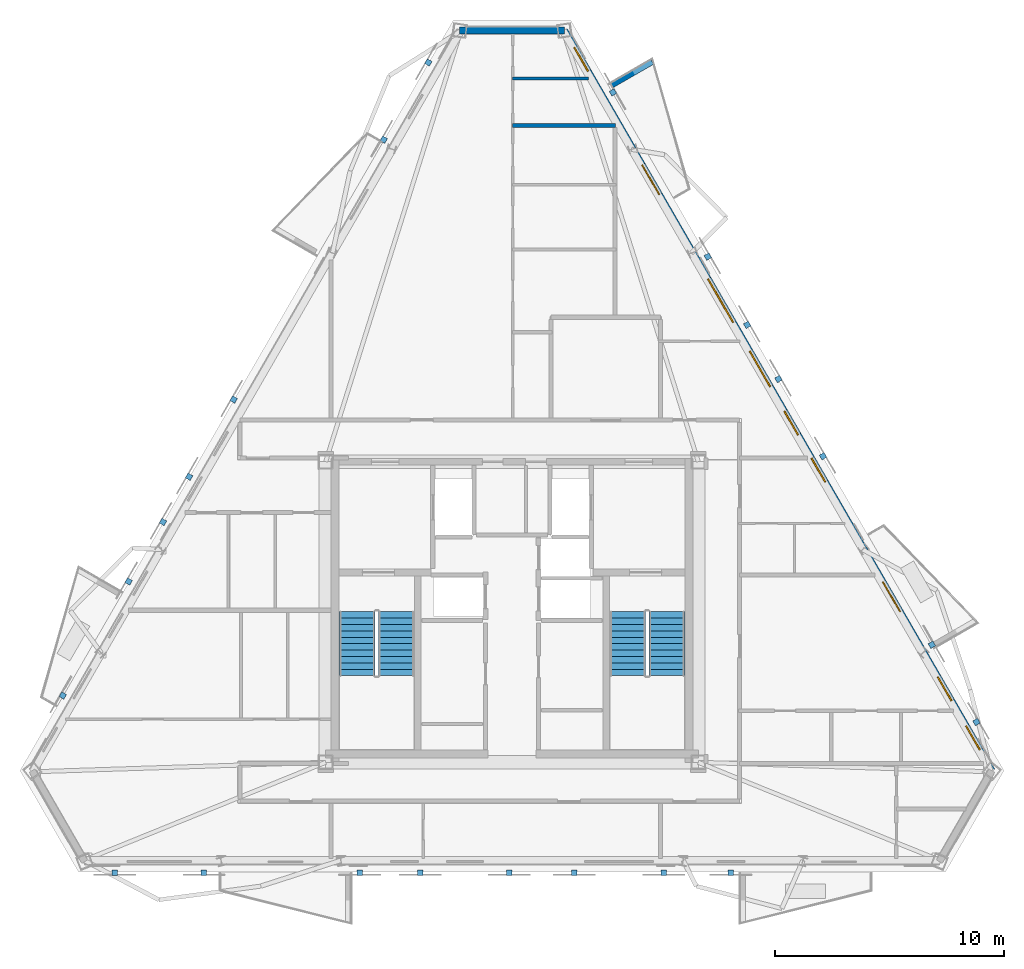
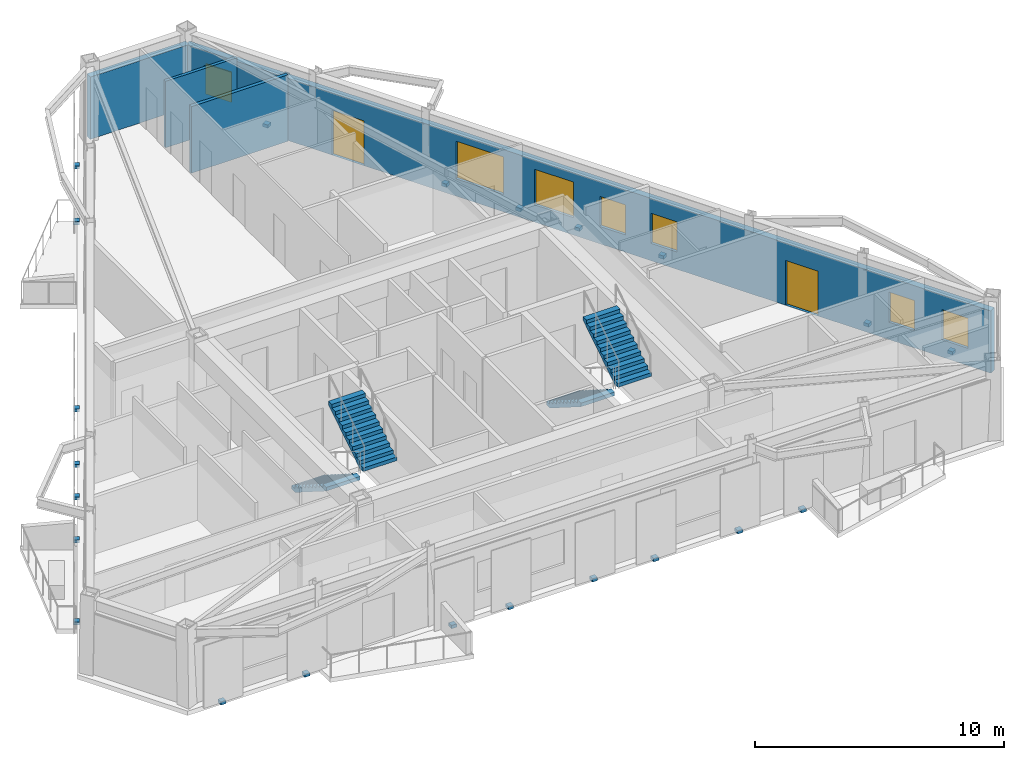
# One storey, part 6 of 9: 22 discrete accessories, 7 windows, 5 walls, 4 stair flights, 2 doors, 9 openings, 2 elements without a shape of their own.
"""IFC4 building model written with IfcOpenShell, lengths in metres."""

from ifc_helpers import new_model, si_unit, direction, frame, frame_2d, origin, origin_2d, place, context, subcontext, project, spatial, polyline, rectangle, outline, extrude, material, layer, layer_set, type_object, element, fill, aggregate, save


model = new_model("IFC4")

# Units and contexts
model_context = context("Model", 3, precision=1e-05, world=origin(), true_north=direction((0.0, 1.0)))
body_context = subcontext(model_context, "Body", "Model", "MODEL_VIEW")
ifc_project = project(units=[si_unit("LENGTHUNIT", "METRE"), si_unit("AREAUNIT", "SQUARE_METRE"), si_unit("VOLUMEUNIT", "CUBIC_METRE"), si_unit("PLANEANGLEUNIT", "RADIAN"), si_unit("MASSUNIT", "GRAM", prefix="KILO")], contexts=[model_context])

# Site, building, storey
site_placement = place(None, origin())
site = spatial("IfcSite", under=ifc_project, at=site_placement, CompositionType="ELEMENT")
building_placement = place(site_placement, origin())
building = spatial("IfcBuilding", under=site, at=building_placement, Name="Oramaril Tower", CompositionType="ELEMENT")
storey_placement = place(building_placement, frame((0.0, 0.0, 277.199951171875)))
storey = spatial("IfcBuildingStorey", under=building, at=storey_placement, Name="L73", CompositionType="ELEMENT", Elevation=277.199951171875)

# Wall, openings, doors, windows
ifc_material_1 = material(Name="Warm Cream Limestone", Category="masonry")
ifc_layer_1 = layer(ifc_material_1, 0.2900390625)
ifc_layer_set_1 = layer_set([ifc_layer_1], Name="WT-EXT29")
wall_type_1 = type_object("IfcWallType", Name="WT-EXT29", PredefinedType="SOLIDWALL", material=ifc_layer_set_1)
wall_1_placement = place(storey_placement, frame((58.49267578125, 10.63330078125, 0.0), z_axis=(0.0, 0.0, 1.0), x_axis=(-0.499998095684, 0.866026503239, 0.0)))
wall_1 = element("IfcWall", 1, at=wall_1_placement, inside=storey, type_object=wall_type_1, Name="L73 Tower Limestone Facade Wall 4M", PredefinedType="SOLIDWALL", context=body_context, shape_type="SweptSolid", body=[
    extrude(rectangle(XDim=37.389404296875, YDim=0.2900390625, at=frame_2d((18.69482421875, 0.0))), origin(), (0.0, 0.0, 1.0), 3.05810546875),
])
opening_1_placement = place(wall_1_placement, frame((8.034423828125, 0.0, 0.0)))
opening_1 = element("IfcOpeningElement", 2, at=opening_1_placement, cuts=wall_1, Name="Opening D-L73-BAL-NE1", PredefinedType="OPENING", context=body_context, shape_type="SweptSolid", body=[
    extrude(rectangle(XDim=1.5, YDim=2.199951171875, at=frame_2d((0.75, 1.10009765625))), frame((0.0, 0.14501953125, 0.0), z_axis=(0.0, -1.0, 0.0), x_axis=(1.0, 0.0, 0.0)), (0.0, 0.0, 1.0), 0.2900390625),
])
opening_2_placement = place(wall_1_placement, frame((29.099853515625, 0.0, 0.0)))
opening_2 = element("IfcOpeningElement", 3, at=opening_2_placement, cuts=wall_1, Name="Opening D-L73-BAL-NE2", PredefinedType="OPENING", context=body_context, shape_type="SweptSolid", body=[
    extrude(rectangle(XDim=1.5, YDim=2.199951171875, at=frame_2d((0.75, 1.10009765625))), frame((0.0, 0.14501953125, 0.0), z_axis=(0.0, -1.0, 0.0), x_axis=(1.0, 0.0, 0.0)), (0.0, 0.0, 1.0), 0.2900390625),
])
opening_3_placement = place(wall_1_placement, frame((3.531005859375, 0.0, 0.85009765625)))
opening_3 = element("IfcOpeningElement", 4, at=opening_3_placement, cuts=wall_1, Name="Opening WN-09", PredefinedType="OPENING", context=body_context, shape_type="SweptSolid", body=[
    extrude(rectangle(XDim=1.199951171875, YDim=1.47998046875, at=frame_2d((0.60009765625, 0.739990234375))), frame((0.0, 0.14501953125, 0.0), z_axis=(0.0, -1.0, 0.0), x_axis=(1.0, 0.0, 0.0)), (0.0, 0.0, 1.0), 0.2900390625),
])
opening_4_placement = place(wall_1_placement, frame((1.054931640625, 0.0, 0.85009765625)))
opening_4 = element("IfcOpeningElement", 5, at=opening_4_placement, cuts=wall_1, Name="Opening WN-09", PredefinedType="OPENING", context=body_context, shape_type="SweptSolid", body=[
    extrude(rectangle(XDim=1.199951171875, YDim=1.47998046875, at=frame_2d((0.60009765625, 0.739990234375))), frame((0.0, 0.14501953125, 0.0), z_axis=(0.0, -1.0, 0.0), x_axis=(1.0, 0.0, 0.0)), (0.0, 0.0, 1.0), 0.2900390625),
])
opening_5_placement = place(wall_1_placement, frame((35.335693359375, 0.0, 0.85009765625)))
opening_5 = element("IfcOpeningElement", 6, at=opening_5_placement, cuts=wall_1, Name="Opening WN-09", PredefinedType="OPENING", context=body_context, shape_type="SweptSolid", body=[
    extrude(rectangle(XDim=1.199951171875, YDim=1.47998046875, at=frame_2d((0.60009765625, 0.739990234375))), frame((0.0, 0.14501953125, 0.0), z_axis=(0.0, -1.0, 0.0), x_axis=(1.0, 0.0, 0.0)), (0.0, 0.0, 1.0), 0.2900390625),
])
opening_6_placement = place(wall_1_placement, frame((16.9560546875, 0.0, 0.85009765625)))
opening_6 = element("IfcOpeningElement", 7, at=opening_6_placement, cuts=wall_1, Name="Opening WN-09", PredefinedType="OPENING", context=body_context, shape_type="SweptSolid", body=[
    extrude(rectangle(XDim=1.199951171875, YDim=1.47998046875, at=frame_2d((0.60009765625, 0.739990234375))), frame((0.0, 0.14501953125, 0.0), z_axis=(0.0, -1.0, 0.0), x_axis=(1.0, 0.0, 0.0)), (0.0, 0.0, 1.0), 0.2900390625),
])
opening_7_placement = place(wall_1_placement, frame((19.3916015625, 0.0, 0.85009765625)))
opening_7 = element("IfcOpeningElement", 8, at=opening_7_placement, cuts=wall_1, Name="Opening WN-06", PredefinedType="OPENING", context=body_context, shape_type="SweptSolid", body=[
    extrude(rectangle(XDim=1.800048828125, YDim=1.75, at=frame_2d((0.89990234375, 0.875))), frame((0.0, 0.14501953125, 0.0), z_axis=(0.0, -1.0, 0.0), x_axis=(1.0, 0.0, 0.0)), (0.0, 0.0, 1.0), 0.2900390625),
])
opening_8_placement = place(wall_1_placement, frame((22.63818359375, 0.0, 0.85009765625)))
opening_8 = element("IfcOpeningElement", 9, at=opening_8_placement, cuts=wall_1, Name="Opening WN-04", PredefinedType="OPENING", context=body_context, shape_type="SweptSolid", body=[
    extrude(rectangle(XDim=2.199951171875, YDim=1.85009765625, at=frame_2d((1.10009765625, 0.925048828125))), frame((0.0, 0.14501953125, 0.0), z_axis=(0.0, -1.0, 0.0), x_axis=(1.0, 0.0, 0.0)), (0.0, 0.0, 1.0), 0.2900390625),
])
opening_9_placement = place(wall_1_placement, frame((14.580078125, 0.0, 0.85009765625)))
opening_9 = element("IfcOpeningElement", 10, at=opening_9_placement, cuts=wall_1, Name="Opening WN-09", PredefinedType="OPENING", context=body_context, shape_type="SweptSolid", body=[
    extrude(rectangle(XDim=1.199951171875, YDim=1.47998046875, at=frame_2d((0.60009765625, 0.739990234375))), frame((0.0, 0.14501953125, 0.0), z_axis=(0.0, -1.0, 0.0), x_axis=(1.0, 0.0, 0.0)), (0.0, 0.0, 1.0), 0.2900390625),
])
ifc_material_2 = material(Name="Anodised Aluminium 6063-T6", Category="aluminium")
door_type = type_object("IfcDoorType", Name="DT-BAL", OperationType="NOTDEFINED", PredefinedType="DOOR", material=ifc_material_2)
door_1_placement = place(opening_1_placement, origin())
door_1 = element("IfcDoor", 11, at=door_1_placement, inside=storey, type_object=door_type, Name="L73 Balcony Glazed Door L73-BAL-NE1", OperationType="SINGLE_SWING_RIGHT", OverallHeight=2.199951171875, OverallWidth=1.5, PredefinedType="DOOR", context=body_context, shape_type="SweptSolid", body=[
    extrude(rectangle(XDim=1.5, YDim=2.199951171875, at=frame_2d((0.75, 1.10009765625))), frame((0.0, 0.02490234375, 0.0), z_axis=(0.0, -1.0, 0.0), x_axis=(1.0, 0.0, 0.0)), (0.0, 0.0, 1.0), 0.050048828125),
])
fill(opening_1, door_1)
door_2_placement = place(opening_2_placement, origin())
door_2 = element("IfcDoor", 12, at=door_2_placement, inside=storey, type_object=door_type, Name="L73 Balcony Glazed Door L73-BAL-NE2", OperationType="SINGLE_SWING_LEFT", OverallHeight=2.199951171875, OverallWidth=1.5, PredefinedType="DOOR", context=body_context, shape_type="SweptSolid", body=[
    extrude(rectangle(XDim=1.5, YDim=2.199951171875, at=frame_2d((0.75, 1.10009765625))), frame((0.0, 0.02490234375, 0.0), z_axis=(0.0, -1.0, 0.0), x_axis=(1.0, 0.0, 0.0)), (0.0, 0.0, 1.0), 0.050048828125),
])
fill(opening_2, door_2)
ifc_material_3 = material(Name="Coastal Low-E Insulated Glass", Category="glass")
window_type_1 = type_object("IfcWindowType", Name="WNT-04", PartitioningType="SINGLE_PANEL", PredefinedType="WINDOW", material=ifc_material_3)
window_1_placement = place(opening_8_placement, origin())
window_1 = element("IfcWindow", 13, at=window_1_placement, inside=storey, type_object=window_type_1, Name="L73 Chicago Bay Window WN-04", OverallHeight=1.85009765625, OverallWidth=2.199951171875, PartitioningType="SINGLE_PANEL", PredefinedType="WINDOW", context=body_context, shape_type="SweptSolid", body=[
    extrude(rectangle(XDim=2.199951171875, YDim=1.85009765625, at=frame_2d((1.10009765625, 0.925048828125))), frame((0.0, 0.030029296875, 0.0), z_axis=(0.0, -1.0, 0.0), x_axis=(1.0, 0.0, 0.0)), (0.0, 0.0, 1.0), 0.06005859375),
])
fill(opening_8, window_1)
ifc_material_4 = material(Name="Coastal Low-E Insulated Glass", Category="glass")
window_type_2 = type_object("IfcWindowType", Name="WNT-06", PartitioningType="SINGLE_PANEL", PredefinedType="WINDOW", material=ifc_material_4)
window_2_placement = place(opening_7_placement, origin())
window_2 = element("IfcWindow", 14, at=window_2_placement, inside=storey, type_object=window_type_2, Name="L73 Chicago Bay Window WN-06", OverallHeight=1.75, OverallWidth=1.800048828125, PartitioningType="SINGLE_PANEL", PredefinedType="WINDOW", context=body_context, shape_type="SweptSolid", body=[
    extrude(rectangle(XDim=1.800048828125, YDim=1.75, at=frame_2d((0.89990234375, 0.875))), frame((0.0, 0.030029296875, 0.0), z_axis=(0.0, -1.0, 0.0), x_axis=(1.0, 0.0, 0.0)), (0.0, 0.0, 1.0), 0.06005859375),
])
fill(opening_7, window_2)
ifc_material_5 = material(Name="Coastal Low-E Insulated Glass", Category="glass")
window_type_3 = type_object("IfcWindowType", Name="WNT-09", PartitioningType="SINGLE_PANEL", PredefinedType="WINDOW", material=ifc_material_5)
window_3_placement = place(opening_3_placement, origin())
window_3 = element("IfcWindow", 15, at=window_3_placement, inside=storey, type_object=window_type_3, Name="L73 Chicago Bay Window WN-09", OverallHeight=1.47998046875, OverallWidth=1.199951171875, PartitioningType="SINGLE_PANEL", PredefinedType="WINDOW", context=body_context, shape_type="SweptSolid", body=[
    extrude(rectangle(XDim=1.199951171875, YDim=1.47998046875, at=frame_2d((0.60009765625, 0.739990234375))), frame((0.0, 0.030029296875, 0.0), z_axis=(0.0, -1.0, 0.0), x_axis=(1.0, 0.0, 0.0)), (0.0, 0.0, 1.0), 0.06005859375),
])
fill(opening_3, window_3)
window_4_placement = place(opening_4_placement, origin())
window_4 = element("IfcWindow", 16, at=window_4_placement, inside=storey, type_object=window_type_3, Name="L73 Chicago Bay Window WN-09", OverallHeight=1.47998046875, OverallWidth=1.199951171875, PartitioningType="SINGLE_PANEL", PredefinedType="WINDOW", context=body_context, shape_type="SweptSolid", body=[
    extrude(rectangle(XDim=1.199951171875, YDim=1.47998046875, at=frame_2d((0.60009765625, 0.739990234375))), frame((0.0, 0.030029296875, 0.0), z_axis=(0.0, -1.0, 0.0), x_axis=(1.0, 0.0, 0.0)), (0.0, 0.0, 1.0), 0.06005859375),
])
fill(opening_4, window_4)
window_5_placement = place(opening_5_placement, origin())
window_5 = element("IfcWindow", 17, at=window_5_placement, inside=storey, type_object=window_type_3, Name="L73 Chicago Bay Window WN-09", OverallHeight=1.47998046875, OverallWidth=1.199951171875, PartitioningType="SINGLE_PANEL", PredefinedType="WINDOW", context=body_context, shape_type="SweptSolid", body=[
    extrude(rectangle(XDim=1.199951171875, YDim=1.47998046875, at=frame_2d((0.60009765625, 0.739990234375))), frame((0.0, 0.030029296875, 0.0), z_axis=(0.0, -1.0, 0.0), x_axis=(1.0, 0.0, 0.0)), (0.0, 0.0, 1.0), 0.06005859375),
])
fill(opening_5, window_5)
window_6_placement = place(opening_6_placement, origin())
window_6 = element("IfcWindow", 18, at=window_6_placement, inside=storey, type_object=window_type_3, Name="L73 Chicago Bay Window WN-09", OverallHeight=1.47998046875, OverallWidth=1.199951171875, PartitioningType="SINGLE_PANEL", PredefinedType="WINDOW", context=body_context, shape_type="SweptSolid", body=[
    extrude(rectangle(XDim=1.199951171875, YDim=1.47998046875, at=frame_2d((0.60009765625, 0.739990234375))), frame((0.0, 0.030029296875, 0.0), z_axis=(0.0, -1.0, 0.0), x_axis=(1.0, 0.0, 0.0)), (0.0, 0.0, 1.0), 0.06005859375),
])
fill(opening_6, window_6)
window_7_placement = place(opening_9_placement, origin())
window_7 = element("IfcWindow", 19, at=window_7_placement, inside=storey, type_object=window_type_3, Name="L73 Apartment Bedroom Window WN-09", OverallHeight=1.47998046875, OverallWidth=1.199951171875, PartitioningType="SINGLE_PANEL", PredefinedType="WINDOW", context=body_context, shape_type="SweptSolid", body=[
    extrude(rectangle(XDim=1.199951171875, YDim=1.47998046875, at=frame_2d((0.60009765625, 0.739990234375))), frame((0.0, 0.030029296875, 0.0), z_axis=(0.0, -1.0, 0.0), x_axis=(1.0, 0.0, 0.0)), (0.0, 0.0, 1.0), 0.06005859375),
])
fill(opening_9, window_7)

# Walls
wall_2_placement = place(storey_placement, frame((39.798095703125, 43.013427734375, 0.0), z_axis=(0.0, 0.0, 1.0), x_axis=(-1.0, 0.0, 0.0)))
element("IfcWall", 20, at=wall_2_placement, inside=storey, type_object=wall_type_1, Name="L73 Tower Limestone Facade Wall 5M", PredefinedType="SOLIDWALL", context=body_context, shape_type="SweptSolid", body=[
    extrude(rectangle(XDim=4.59619140625, YDim=0.2900390625, at=frame_2d((2.298095703125, 0.0))), origin(), (0.0, 0.0, 1.0), 3.05810546875),
])
ifc_material_6 = material(Name="Concrete C40/50", Category="concrete")
ifc_layer_2 = layer(ifc_material_6, 0.22998046875)
ifc_layer_set_2 = layer_set([ifc_layer_2], Name="WT-PRP23")
wall_type_2 = type_object("IfcWallType", Name="WT-PRP23", PredefinedType="PARAPET", material=ifc_layer_set_2)
wall_3_placement = place(storey_placement, frame((41.873046875, 40.615234375, 0.0), z_axis=(0.0, 0.0, 1.0), x_axis=(0.866042246008, 0.499970827278, 0.0)))
element("IfcWall", 21, at=wall_3_placement, inside=storey, type_object=wall_type_2, Name="L73 Trapezoidal Balcony Frame Cheek L73-BAL-NE2-R", PredefinedType="PARAPET", context=body_context, shape_type="SweptSolid", body=[
    extrude(outline(polyline([(0.0, 0.0), (2.0419921875, 0.0), (2.0419921875, 1.10009765625), (0.0, 1.320068359375), (0.0, 0.0)])), frame((0.0, 0.114990234375, 0.0), z_axis=(0.0, -1.0, 0.0), x_axis=(1.0, 0.0, 0.0)), (0.0, 0.0, 1.0), 0.22998046875),
])
ifc_material_7 = material(Name="Acoustic Gypsum Board Partition")
ifc_layer_3 = layer(ifc_material_7, 0.139892578125)
ifc_layer_set_3 = layer_set([ifc_layer_3], Name="WT-PT14")
wall_type_3 = type_object("IfcWallType", Name="WT-PT14", PredefinedType="PARTITIONING", material=ifc_layer_set_3)
wall_4_placement = place(storey_placement, frame((37.52880859375, 40.909912109375, 0.0), z_axis=(0.0, 0.0, 1.0), x_axis=(1.0, 0.0, 0.0)))
element("IfcWall", 22, at=wall_4_placement, inside=storey, type_object=wall_type_3, Name="L73 Interior Partition PT-14", PredefinedType="PARTITIONING", context=body_context, shape_type="SweptSolid", body=[
    extrude(rectangle(XDim=3.3115234375, YDim=0.139892578125, at=frame_2d((1.65576171875, 0.0))), origin(), (0.0, 0.0, 1.0), 3.26611328125),
])
ifc_material_8 = material(Name="Acoustic Gypsum Board Partition")
ifc_layer_4 = layer(ifc_material_8, 0.159912109375)
ifc_layer_set_4 = layer_set([ifc_layer_4], Name="WT-PT16")
wall_type_4 = type_object("IfcWallType", Name="WT-PT16", PredefinedType="PARTITIONING", material=ifc_layer_set_4)
wall_5_placement = place(storey_placement, frame((37.52880859375, 38.860107421875, 0.0), z_axis=(0.0, 0.0, 1.0), x_axis=(1.0, 0.0, 0.0)))
element("IfcWall", 23, at=wall_5_placement, inside=storey, type_object=wall_type_4, Name="L73 Interior Partition PT-16", PredefinedType="PARTITIONING", context=body_context, shape_type="SweptSolid", body=[
    extrude(rectangle(XDim=4.4951171875, YDim=0.159912109375, at=frame_2d((2.24755859375, 0.0))), origin(), (0.0, 0.0, 1.0), 3.26611328125),
])

# Stair, stair flights
ifc_material_9 = material(Name="Concrete C50/60", Category="concrete")
stair_type = type_object("IfcStairType", Name="STT-DG-3900", PredefinedType="HALF_TURN_STAIR", material=ifc_material_9)
stair_1_placement = place(storey_placement, origin())
stair_1 = element("IfcStair", 24, at=stair_1_placement, inside=storey, type_object=stair_type, Name="L73 Protected PFP Exit Stair ST-1", PredefinedType="HALF_TURN_STAIR")
ifc_material_10 = material(Name="Concrete C50/60", Category="concrete")
stair_flight_type = type_object("IfcStairFlightType", Name="SFT-DG-3900", PredefinedType="STRAIGHT", material=ifc_material_10)
stair_flight_1_placement = place(storey_placement, frame((30.72998046875, 17.590087890625, 0.0), z_axis=(0.0, 0.0, 1.0), x_axis=(0.0, -1.0, 0.0)))
stair_flight_1 = element("IfcStairFlight", 25, at=stair_flight_1_placement, type_object=stair_flight_type, Name="ST-1 flight 1", NumberOfRisers=11, NumberOfTreads=10, PredefinedType="STRAIGHT", RiserHeight=0.177272727, TreadLength=0.28, context=body_context, shape_type="SweptSolid", body=[
    extrude(outline(polyline([(0.0, 0.0), (0.0, 0.17724609375), (0.280029296875, 0.17724609375), (0.280029296875, 0.3544921875), (0.56005859375, 0.3544921875), (0.56005859375, 0.53173828125), (0.840087890625, 0.53173828125), (0.840087890625, 0.708984375), (1.1201171875, 0.708984375), (1.1201171875, 0.886474609375), (1.39990234375, 0.886474609375), (1.39990234375, 1.063720703125), (1.679931640625, 1.063720703125), (1.679931640625, 1.240966796875), (1.9599609375, 1.240966796875), (1.9599609375, 1.418212890625), (2.239990234375, 1.418212890625), (2.239990234375, 1.595458984375), (2.52001953125, 1.595458984375), (2.52001953125, 1.772705078125), (2.800048828125, 1.772705078125), (2.800048828125, 1.949951171875), (2.800048828125, 1.59521484375), (0.2802734375, 0.0), (0.0, 0.0)])), frame((0.0, 0.780029296875, 0.0), z_axis=(0.0, -1.0, 0.0), x_axis=(1.0, 0.0, 0.0)), (0.0, 0.0, 1.0), 1.56005859375),
])
stair_flight_2_placement = place(storey_placement, frame((32.43994140625, 14.7900390625, 1.949951171875), z_axis=(0.0, 0.0, 1.0), x_axis=(0.0, 1.0, 0.0)))
stair_flight_2 = element("IfcStairFlight", 26, at=stair_flight_2_placement, type_object=stair_flight_type, Name="ST-1 flight 2", NumberOfRisers=11, NumberOfTreads=10, PredefinedType="STRAIGHT", RiserHeight=0.177272727, TreadLength=0.28, context=body_context, shape_type="SweptSolid", body=[
    extrude(outline(polyline([(0.0, 0.0), (0.0, 0.17724609375), (0.280029296875, 0.17724609375), (0.280029296875, 0.3544921875), (0.56005859375, 0.3544921875), (0.56005859375, 0.53173828125), (0.840087890625, 0.53173828125), (0.840087890625, 0.708984375), (1.1201171875, 0.708984375), (1.1201171875, 0.886474609375), (1.39990234375, 0.886474609375), (1.39990234375, 1.063720703125), (1.679931640625, 1.063720703125), (1.679931640625, 1.240966796875), (1.9599609375, 1.240966796875), (1.9599609375, 1.418212890625), (2.239990234375, 1.418212890625), (2.239990234375, 1.595458984375), (2.52001953125, 1.595458984375), (2.52001953125, 1.772705078125), (2.800048828125, 1.772705078125), (2.800048828125, 1.949951171875), (2.800048828125, 1.59521484375), (0.2802734375, 0.0), (0.0, 0.0)])), frame((0.0, 0.780029296875, 0.0), z_axis=(0.0, -1.0, 0.0), x_axis=(1.0, 0.0, 0.0)), (0.0, 0.0, 1.0), 1.56005859375),
])
aggregate(stair_1, [stair_flight_1, stair_flight_2])

stair_2_placement = place(storey_placement, origin())
stair_2 = element("IfcStair", 27, at=stair_2_placement, inside=storey, type_object=stair_type, Name="L73 Protected PFP Exit Stair ST-2", PredefinedType="HALF_TURN_STAIR")
stair_flight_3_placement = place(storey_placement, frame((42.56005859375, 17.590087890625, 0.0), z_axis=(0.0, 0.0, 1.0), x_axis=(0.0, -1.0, 0.0)))
stair_flight_3 = element("IfcStairFlight", 28, at=stair_flight_3_placement, type_object=stair_flight_type, Name="ST-2 flight 1", NumberOfRisers=11, NumberOfTreads=10, PredefinedType="STRAIGHT", RiserHeight=0.177272727, TreadLength=0.28, context=body_context, shape_type="SweptSolid", body=[
    extrude(outline(polyline([(0.0, 0.0), (0.0, 0.17724609375), (0.280029296875, 0.17724609375), (0.280029296875, 0.3544921875), (0.56005859375, 0.3544921875), (0.56005859375, 0.53173828125), (0.840087890625, 0.53173828125), (0.840087890625, 0.708984375), (1.1201171875, 0.708984375), (1.1201171875, 0.886474609375), (1.39990234375, 0.886474609375), (1.39990234375, 1.063720703125), (1.679931640625, 1.063720703125), (1.679931640625, 1.240966796875), (1.9599609375, 1.240966796875), (1.9599609375, 1.418212890625), (2.239990234375, 1.418212890625), (2.239990234375, 1.595458984375), (2.52001953125, 1.595458984375), (2.52001953125, 1.772705078125), (2.800048828125, 1.772705078125), (2.800048828125, 1.949951171875), (2.800048828125, 1.59521484375), (0.2802734375, 0.0), (0.0, 0.0)])), frame((0.0, 0.780029296875, 0.0), z_axis=(0.0, -1.0, 0.0), x_axis=(1.0, 0.0, 0.0)), (0.0, 0.0, 1.0), 1.56005859375),
])
stair_flight_4_placement = place(storey_placement, frame((44.27001953125, 14.7900390625, 1.949951171875), z_axis=(0.0, 0.0, 1.0), x_axis=(0.0, 1.0, 0.0)))
stair_flight_4 = element("IfcStairFlight", 29, at=stair_flight_4_placement, type_object=stair_flight_type, Name="ST-2 flight 2", NumberOfRisers=11, NumberOfTreads=10, PredefinedType="STRAIGHT", RiserHeight=0.177272727, TreadLength=0.28, context=body_context, shape_type="SweptSolid", body=[
    extrude(outline(polyline([(0.0, 0.0), (0.0, 0.17724609375), (0.280029296875, 0.17724609375), (0.280029296875, 0.3544921875), (0.56005859375, 0.3544921875), (0.56005859375, 0.53173828125), (0.840087890625, 0.53173828125), (0.840087890625, 0.708984375), (1.1201171875, 0.708984375), (1.1201171875, 0.886474609375), (1.39990234375, 0.886474609375), (1.39990234375, 1.063720703125), (1.679931640625, 1.063720703125), (1.679931640625, 1.240966796875), (1.9599609375, 1.240966796875), (1.9599609375, 1.418212890625), (2.239990234375, 1.418212890625), (2.239990234375, 1.595458984375), (2.52001953125, 1.595458984375), (2.52001953125, 1.772705078125), (2.800048828125, 1.772705078125), (2.800048828125, 1.949951171875), (2.800048828125, 1.59521484375), (0.2802734375, 0.0), (0.0, 0.0)])), frame((0.0, 0.780029296875, 0.0), z_axis=(0.0, -1.0, 0.0), x_axis=(1.0, 0.0, 0.0)), (0.0, 0.0, 1.0), 1.56005859375),
])
aggregate(stair_2, [stair_flight_3, stair_flight_4])

# Discrete accessories
for number, where, z_axis, x_axis, name in (
    (30, (33.487060546875, 6.173095703125, -0.14013671875), (0.0, 0.0, 1.0), (1.0, 0.0, 0.0), "L73 Solar Screen Slab Bracket"),
    (31, (37.38720703125, 6.173095703125, -0.14013671875), (0.0, 0.0, 1.0), (1.0, 0.0, 0.0), "L73 Solar Screen Slab Bracket"),
    (32, (40.23046875, 6.173095703125, -0.14013671875), (0.0, 0.0, 1.0), (1.0, 0.0, 0.0), "L73 Solar Screen Slab Bracket"),
    (33, (44.130615234375, 6.173095703125, -0.14013671875), (0.0, 0.0, 1.0), (1.0, 0.0, 0.0), "L73 Solar Screen Slab Bracket"),
    (34, (30.843017578125, 6.173095703125, -0.14013671875), (0.0, 0.0, 1.0), (1.0, 0.0, 0.0), "L73 Solar Screen Slab Bracket"),
    (35, (47.078125, 6.173095703125, -0.14013671875), (0.0, 0.0, 1.0), (1.0, 0.0, 0.0), "L73 Solar Screen Slab Bracket"),
    (36, (20.12451171875, 6.173095703125, -0.14013671875), (0.0, 0.0, 1.0), (1.0, 0.0, 0.0), "L73 Solar Screen Slab Bracket"),
    (37, (24.0244140625, 6.173095703125, -0.14013671875), (0.0, 0.0, 1.0), (1.0, 0.0, 0.0), "L73 Solar Screen Slab Bracket"),
    (38, (57.817626953125, 12.76220703125, -0.14013671875), (0.0, 0.0, 1.0), (-0.4999984885, 0.866026276448, 0.0), "L73 Solar Screen Slab Bracket"),
    (39, (55.86767578125, 16.139892578125, -0.14013671875), (0.0, 0.0, 1.0), (-0.4999984885, 0.866026276448, 0.0), "L73 Solar Screen Slab Bracket"),
    (40, (41.91552734375, 40.305908203125, -0.14013671875), (0.0, 0.0, 1.0), (-0.4999984885, 0.866026276448, 0.0), "L73 Solar Screen Slab Bracket"),
    (41, (51.105224609375, 24.388671875, -0.14013671875), (0.0, 0.0, 1.0), (-0.4999984885, 0.866026276448, 0.0), "L73 Solar Screen Slab Bracket"),
    (42, (49.1552734375, 27.76611328125, -0.14013671875), (0.0, 0.0, 1.0), (-0.4999984885, 0.866026276448, 0.0), "L73 Solar Screen Slab Bracket"),
    (43, (47.78759765625, 30.13525390625, -0.14013671875), (0.0, 0.0, 1.0), (-0.4999984885, 0.866026276448, 0.0), "L73 Solar Screen Slab Bracket"),
    (44, (46.064208984375, 33.1201171875, -0.14013671875), (0.0, 0.0, 1.0), (-0.4999984885, 0.866026276448, 0.0), "L73 Solar Screen Slab Bracket"),
    (45, (17.85009765625, 13.9189453125, -0.14013671875), (0.0, 0.0, 1.0), (-0.4999984885, -0.866026276448, 0.0), "L73 Solar Screen Slab Bracket"),
    (46, (20.730712890625, 18.908203125, -0.14013671875), (0.0, 0.0, 1.0), (-0.4999984885, -0.866026276448, 0.0), "L73 Solar Screen Slab Bracket"),
    (47, (25.325927734375, 26.867919921875, -0.14013671875), (0.0, 0.0, 1.0), (-0.4999984885, -0.866026276448, 0.0), "L73 Solar Screen Slab Bracket"),
    (48, (23.376220703125, 23.490234375, -0.14013671875), (0.0, 0.0, 1.0), (-0.4999984885, -0.866026276448, 0.0), "L73 Solar Screen Slab Bracket"),
    (49, (22.233642578125, 21.51171875, -0.14013671875), (0.0, 0.0, 1.0), (-0.4999984885, -0.866026276448, 0.0), "L73 Solar Screen Slab Bracket"),
    (50, (33.84033203125, 41.614990234375, -0.14013671875), (0.0, 0.0, 1.0), (-0.4999984885, -0.866026276448, 0.0), "L73 Solar Screen Slab Bracket"),
    (51, (31.890380859375, 38.237548828125, -0.14013671875), (0.0, 0.0, 1.0), (-0.4999984885, -0.866026276448, 0.0), "L73 Solar Screen Slab Bracket"),
):
    element("IfcDiscreteAccessory", number, at=place(storey_placement, frame(where, z_axis=z_axis, x_axis=x_axis)), inside=storey, Name=name, PredefinedType="BRACKET", context=body_context, shape_type="SweptSolid", body=[
        extrude(rectangle(XDim=0.239990234375, YDim=0.239990234375, at=origin_2d()), origin(), (0.0, 0.0, 1.0), 0.159912109375),
    ])

save(model, "model.ifc")
